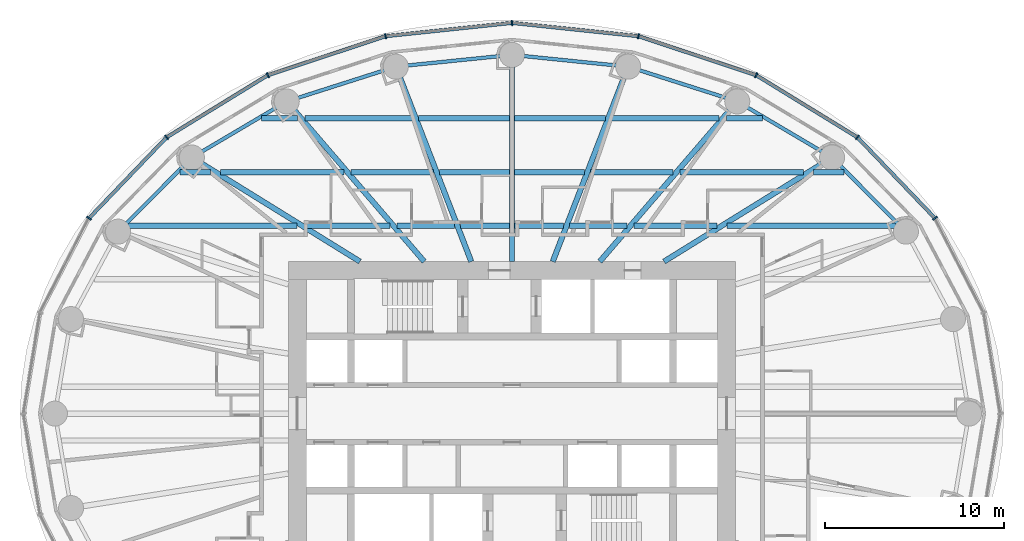
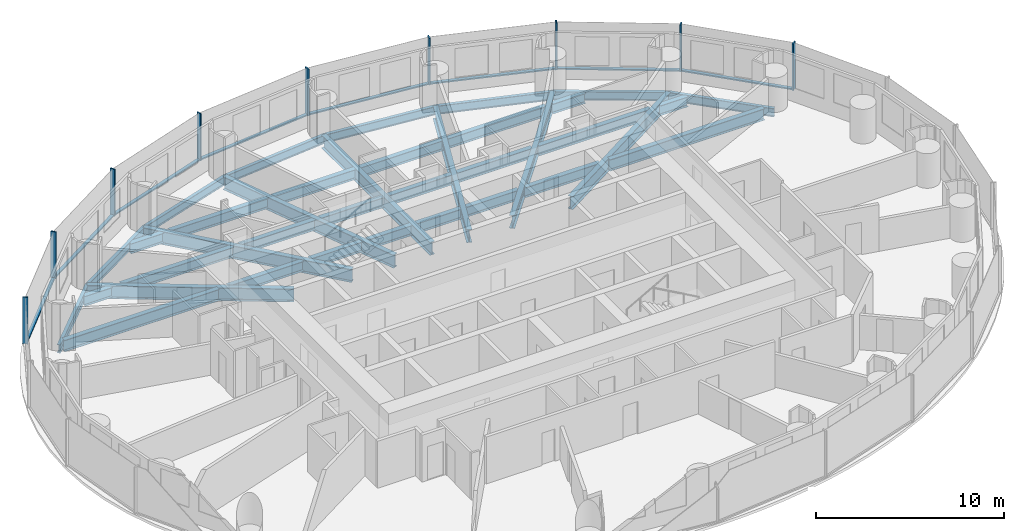
# One storey, part 4 of 14: 37 beams, 17 members, 2 elements without a shape of their own.
"""IFC4 building model written with IfcOpenShell, lengths in metres."""

from ifc_helpers import new_model, si_unit, direction, frame, origin, origin_2d, place, context, subcontext, project, spatial, rectangle, i_section, extrude, material, material_profile, profile_set, type_object, element, aggregate, save


model = new_model("IFC4")

# Units and contexts
model_context = context("Model", 3, precision=1e-05, world=origin(), true_north=direction((0.0, 1.0)))
body_context = subcontext(model_context, "Body", "Model", "MODEL_VIEW")
ifc_project = project(units=[si_unit("LENGTHUNIT", "METRE"), si_unit("AREAUNIT", "SQUARE_METRE"), si_unit("VOLUMEUNIT", "CUBIC_METRE"), si_unit("PLANEANGLEUNIT", "RADIAN"), si_unit("MASSUNIT", "GRAM", prefix="KILO")], contexts=[model_context])

# Site, building, storey
site_placement = place(None, origin())
site = spatial("IfcSite", under=ifc_project, at=site_placement, CompositionType="ELEMENT")
building_placement = place(site_placement, origin())
building = spatial("IfcBuilding", under=site, at=building_placement, Name="Hankou Lantern Tower", CompositionType="ELEMENT")
storey_placement = place(building_placement, frame((0.0, 0.0, 90.300048828125)))
storey = spatial("IfcBuildingStorey", under=building, at=storey_placement, Name="L23", CompositionType="ELEMENT", Elevation=90.300048828125)

# Beams
ifc_material_1 = material(Name="Steel Q355B", Category="steel")
ifc_material_profile_1 = material_profile(ifc_material_1, i_section(OverallWidth=0.199951171875, OverallDepth=0.550048828125, WebThickness=0.010009765625, FlangeThickness=0.01611328125, FilletRadius=0.012939453125, at=origin_2d()), Name="HN550x200x10x16")
ifc_profile_set_1 = profile_set([ifc_material_profile_1], Name="Steel Q355B")
beam_type_1 = type_object("IfcBeamType", Name="EB6 RING BEAM HN550x200x10x16", PredefinedType="SPANDREL", material=ifc_profile_set_1)
beam_1_placement = place(storey_placement, frame((22.01904296875, 10.170166015625, -0.455078125), z_axis=(-0.705727798394, 0.708483079949, 0.0), x_axis=(-0.708483079949, -0.705727798394, 0.0)))
element("IfcBeam", 1, at=beam_1_placement, inside=storey, type_object=beam_type_1, Name="Ring beam R03-R04 L23", PredefinedType="SPANDREL", context=body_context, shape_type="SweptSolid", body=[
    extrude(i_section(OverallWidth=0.199951171875, OverallDepth=0.550048828125, WebThickness=0.010009765625, FlangeThickness=0.01611328125, FilletRadius=0.012939453125, at=origin_2d()), origin(), (0.0, 0.0, 1.0), 5.84814453125),
])
beam_2_placement = place(storey_placement, frame((17.891845703125, 14.3134765625, -0.455078125), z_axis=(-0.860881533543, 0.508805449268, 0.0), x_axis=(-0.508805449268, -0.860881533543, 0.0)))
element("IfcBeam", 2, at=beam_2_placement, inside=storey, type_object=beam_type_1, Name="Ring beam R04-R05 L23", PredefinedType="SPANDREL", context=body_context, shape_type="SweptSolid", body=[
    extrude(i_section(OverallWidth=0.199951171875, OverallDepth=0.550048828125, WebThickness=0.010009765625, FlangeThickness=0.01611328125, FilletRadius=0.012939453125, at=origin_2d()), origin(), (0.0, 0.0, 1.0), 6.15771484375),
])
beam_3_placement = place(storey_placement, frame((12.5908203125, 17.446533203125, -0.455078125), z_axis=(-0.952690479428, 0.303942182671, 0.0), x_axis=(-0.303942182671, -0.952690479428, 0.0)))
element("IfcBeam", 3, at=beam_3_placement, inside=storey, type_object=beam_type_1, Name="Ring beam R05-R06 L23", PredefinedType="SPANDREL", context=body_context, shape_type="SweptSolid", body=[
    extrude(i_section(OverallWidth=0.199951171875, OverallDepth=0.550048828125, WebThickness=0.010009765625, FlangeThickness=0.01611328125, FilletRadius=0.012939453125, at=origin_2d()), origin(), (0.0, 0.0, 1.0), 6.398681640625),
])
for number, where, z_axis, x_axis, name in (
    (4, (6.494873046875, 19.391357421875, -0.455078125), (-0.994896616842, 0.100899562915, 0.0), (-0.100899562915, -0.994896616842, 0.0), "Ring beam R06-R07 L23"),
    (5, (0.0, 20.050048828125, -0.455078125), (-0.994896616842, -0.100899562915, 0.0), (0.100899562915, -0.994896616842, 0.0), "Ring beam R07-R08 L23"),
):
    element("IfcBeam", number, at=place(storey_placement, frame(where, z_axis=z_axis, x_axis=x_axis)), inside=storey, type_object=beam_type_1, Name=name, PredefinedType="SPANDREL", context=body_context, shape_type="SweptSolid", body=[
        extrude(i_section(OverallWidth=0.199951171875, OverallDepth=0.550048828125, WebThickness=0.010009765625, FlangeThickness=0.01611328125, FilletRadius=0.012939453125, at=origin_2d()), origin(), (0.0, 0.0, 1.0), 6.528076171875),
    ])
beam_4_placement = place(storey_placement, frame((-6.494873046875, 19.391357421875, -0.455078125), z_axis=(-0.952690479428, -0.303942182671, 0.0), x_axis=(0.303942182671, -0.952690479428, 0.0)))
element("IfcBeam", 6, at=beam_4_placement, inside=storey, type_object=beam_type_1, Name="Ring beam R08-R09 L23", PredefinedType="SPANDREL", context=body_context, shape_type="SweptSolid", body=[
    extrude(i_section(OverallWidth=0.199951171875, OverallDepth=0.550048828125, WebThickness=0.010009765625, FlangeThickness=0.01611328125, FilletRadius=0.012939453125, at=origin_2d()), origin(), (0.0, 0.0, 1.0), 6.398681640625),
])
beam_5_placement = place(storey_placement, frame((-12.5908203125, 17.446533203125, -0.455078125), z_axis=(-0.860881533543, -0.508805449268, 0.0), x_axis=(0.508805449268, -0.860881533543, 0.0)))
element("IfcBeam", 7, at=beam_5_placement, inside=storey, type_object=beam_type_1, Name="Ring beam R09-R10 L23", PredefinedType="SPANDREL", context=body_context, shape_type="SweptSolid", body=[
    extrude(i_section(OverallWidth=0.199951171875, OverallDepth=0.550048828125, WebThickness=0.010009765625, FlangeThickness=0.01611328125, FilletRadius=0.012939453125, at=origin_2d()), origin(), (0.0, 0.0, 1.0), 6.15771484375),
])
beam_6_placement = place(storey_placement, frame((-17.891845703125, 14.3134765625, -0.455078125), z_axis=(-0.705727798394, -0.708483079949, 0.0), x_axis=(0.708483079949, -0.705727798394, 0.0)))
element("IfcBeam", 8, at=beam_6_placement, inside=storey, type_object=beam_type_1, Name="Ring beam R10-R11 L23", PredefinedType="SPANDREL", context=body_context, shape_type="SweptSolid", body=[
    extrude(i_section(OverallWidth=0.199951171875, OverallDepth=0.550048828125, WebThickness=0.010009765625, FlangeThickness=0.01611328125, FilletRadius=0.012939453125, at=origin_2d()), origin(), (0.0, 0.0, 1.0), 5.84814453125),
])

# Curtain wall, members
ifc_material_2 = material(Name="Glass, dark grey tinted laminated", Category="glass")
curtain_wall_type = type_object("IfcCurtainWallType", Name="CWA OUTER SKIN LOW-RISE", PredefinedType="USERDEFINED", material=ifc_material_2)
curtain_wall_1_placement = place(storey_placement, origin())
curtain_wall_1 = element("IfcCurtainWall", 9, at=curtain_wall_1_placement, inside=storey, type_object=curtain_wall_type, Name="CWA L23 OS1", ObjectType="OUTER SKIN LOW-RISE", PredefinedType="USERDEFINED")
ifc_material_3 = material(Name="Aluminium, black anodised", Category="aluminium")
ifc_material_profile_2 = material_profile(ifc_material_3, rectangle(XDim=0.080078125, YDim=0.300048828125, at=origin_2d()), Name="MU1 80X300")
ifc_profile_set_2 = profile_set([ifc_material_profile_2], Name="Aluminium, black anodised")
member_type_1 = type_object("IfcMemberType", Name="MU1 OUTER SKIN MULLION 80X300", PredefinedType="MULLION", material=ifc_profile_set_2)
member_1_placement = place(storey_placement, frame((23.642578125, 10.919921875, 0.0), z_axis=(0.0, 0.0, 1.0), x_axis=(-0.585205735974, 0.810884854084, 0.0)))
member_1 = element("IfcMember", 10, at=member_1_placement, type_object=member_type_1, Name="CWA mullion 3", PredefinedType="MULLION", context=body_context, shape_type="SweptSolid", body=[
    extrude(rectangle(XDim=0.080078125, YDim=0.300048828125, at=origin_2d()), origin(), (0.0, 0.0, 1.0), 3.050048828125),
])
member_2_placement = place(storey_placement, frame((19.303955078125, 15.443115234375, 0.0), z_axis=(0.0, 0.0, 1.0), x_axis=(-0.780868809444, 0.624695047553, 0.0)))
member_2 = element("IfcMember", 11, at=member_2_placement, type_object=member_type_1, Name="CWA mullion 4", PredefinedType="MULLION", context=body_context, shape_type="SweptSolid", body=[
    extrude(rectangle(XDim=0.080078125, YDim=0.300048828125, at=origin_2d()), origin(), (0.0, 0.0, 1.0), 3.050048828125),
])
member_3_placement = place(storey_placement, frame((13.64990234375, 18.9140625, 0.0), z_axis=(0.0, 0.0, 1.0), x_axis=(-0.907841299004, 0.419313934686, 0.0)))
member_3 = element("IfcMember", 12, at=member_3_placement, type_object=member_type_1, Name="CWA mullion 5", PredefinedType="MULLION", context=body_context, shape_type="SweptSolid", body=[
    extrude(rectangle(XDim=0.080078125, YDim=0.300048828125, at=origin_2d()), origin(), (0.0, 0.0, 1.0), 3.050048828125),
])
member_4_placement = place(storey_placement, frame((7.065673828125, 21.095703125, 0.0), z_axis=(0.0, 0.0, 1.0), x_axis=(-0.977787659625, 0.209597931016, 0.0)))
member_4 = element("IfcMember", 13, at=member_4_placement, type_object=member_type_1, Name="CWA mullion 6", PredefinedType="MULLION", context=body_context, shape_type="SweptSolid", body=[
    extrude(rectangle(XDim=0.080078125, YDim=0.300048828125, at=origin_2d()), origin(), (0.0, 0.0, 1.0), 3.050048828125),
])

curtain_wall_2_placement = place(storey_placement, origin())
curtain_wall_2 = element("IfcCurtainWall", 14, at=curtain_wall_2_placement, inside=storey, type_object=curtain_wall_type, Name="CWA L23 OS2", ObjectType="OUTER SKIN LOW-RISE", PredefinedType="USERDEFINED")
member_5_placement = place(storey_placement, frame((0.0, 21.840087890625, 0.0), z_axis=(0.0, 0.0, 1.0), x_axis=(-0.994499359107, -0.104742659579, 0.0)))
member_5 = element("IfcMember", 15, at=member_5_placement, type_object=member_type_1, Name="CWA mullion 1", PredefinedType="MULLION", context=body_context, shape_type="SweptSolid", body=[
    extrude(rectangle(XDim=0.080078125, YDim=0.300048828125, at=origin_2d()), origin(), (0.0, 0.0, 1.0), 3.050048828125),
])
member_6_placement = place(storey_placement, frame((-7.065673828125, 21.095703125, 0.0), z_axis=(0.0, 0.0, 1.0), x_axis=(-0.977787659625, -0.209597931016, 0.0)))
member_6 = element("IfcMember", 16, at=member_6_placement, type_object=member_type_1, Name="CWA mullion 2", PredefinedType="MULLION", context=body_context, shape_type="SweptSolid", body=[
    extrude(rectangle(XDim=0.080078125, YDim=0.300048828125, at=origin_2d()), origin(), (0.0, 0.0, 1.0), 3.050048828125),
])
member_7_placement = place(storey_placement, frame((-13.64990234375, 18.9140625, 0.0), z_axis=(0.0, 0.0, 1.0), x_axis=(-0.907841299004, -0.419313934686, 0.0)))
member_7 = element("IfcMember", 17, at=member_7_placement, type_object=member_type_1, Name="CWA mullion 3", PredefinedType="MULLION", context=body_context, shape_type="SweptSolid", body=[
    extrude(rectangle(XDim=0.080078125, YDim=0.300048828125, at=origin_2d()), origin(), (0.0, 0.0, 1.0), 3.050048828125),
])
member_8_placement = place(storey_placement, frame((-19.303955078125, 15.443115234375, 0.0), z_axis=(0.0, 0.0, 1.0), x_axis=(-0.780868809444, -0.624695047553, 0.0)))
member_8 = element("IfcMember", 18, at=member_8_placement, type_object=member_type_1, Name="CWA mullion 4", PredefinedType="MULLION", context=body_context, shape_type="SweptSolid", body=[
    extrude(rectangle(XDim=0.080078125, YDim=0.300048828125, at=origin_2d()), origin(), (0.0, 0.0, 1.0), 3.050048828125),
])
member_9_placement = place(storey_placement, frame((-23.642578125, 10.919921875, 0.0), z_axis=(0.0, 0.0, 1.0), x_axis=(-0.585205735974, -0.810884854084, 0.0)))
member_9 = element("IfcMember", 19, at=member_9_placement, type_object=member_type_1, Name="CWA mullion 5", PredefinedType="MULLION", context=body_context, shape_type="SweptSolid", body=[
    extrude(rectangle(XDim=0.080078125, YDim=0.300048828125, at=origin_2d()), origin(), (0.0, 0.0, 1.0), 3.050048828125),
])

# Beams
ifc_material_4 = material(Name="Steel Q355B", Category="steel")
ifc_material_profile_3 = material_profile(ifc_material_4, i_section(OverallWidth=0.300048828125, OverallDepth=0.85009765625, WebThickness=0.01611328125, FlangeThickness=0.027099609375, FilletRadius=0.01806640625, at=origin_2d()), Name="HN850x300x16x27")
ifc_profile_set_3 = profile_set([ifc_material_profile_3], Name="Steel Q355B")
beam_type_2 = type_object("IfcBeamType", Name="RB12 RADIAL BEAM HN850x300x16x27", PredefinedType="BEAM", material=ifc_profile_set_3)
beam_7_placement = place(storey_placement, frame((8.5, 8.5, -0.60498046875), z_axis=(0.850286343288, 0.526320372414, 0.0), x_axis=(-0.526320372414, 0.850286343288, 0.0)))
element("IfcBeam", 20, at=beam_7_placement, inside=storey, type_object=beam_type_2, Name="Radial beam R04 L23", PredefinedType="BEAM", context=body_context, shape_type="SweptSolid", body=[
    extrude(i_section(OverallWidth=0.300048828125, OverallDepth=0.85009765625, WebThickness=0.01611328125, FlangeThickness=0.027099609375, FilletRadius=0.01806640625, at=origin_2d()), origin(), (0.0, 0.0, 1.0), 11.04541015625),
])
beam_8_placement = place(storey_placement, frame((4.907470703125, 8.5, -0.60498046875), z_axis=(0.651519061225, 0.758632264579, 0.0), x_axis=(-0.758632264579, 0.651519061225, 0.0)))
element("IfcBeam", 21, at=beam_8_placement, inside=storey, type_object=beam_type_2, Name="Radial beam R05 L23", PredefinedType="BEAM", context=body_context, shape_type="SweptSolid", body=[
    extrude(i_section(OverallWidth=0.300048828125, OverallDepth=0.85009765625, WebThickness=0.01611328125, FlangeThickness=0.027099609375, FilletRadius=0.01806640625, at=origin_2d()), origin(), (0.0, 0.0, 1.0), 11.79296875),
])
beam_9_placement = place(storey_placement, frame((2.277587890625, 8.5, -0.60498046875), z_axis=(0.361089103374, 0.932531318201, 0.0), x_axis=(-0.932531318201, 0.361089103374, 0.0)))
element("IfcBeam", 22, at=beam_9_placement, inside=storey, type_object=beam_type_2, Name="Radial beam R06 L23", PredefinedType="BEAM", context=body_context, shape_type="SweptSolid", body=[
    extrude(i_section(OverallWidth=0.300048828125, OverallDepth=0.85009765625, WebThickness=0.01611328125, FlangeThickness=0.027099609375, FilletRadius=0.01806640625, at=origin_2d()), origin(), (0.0, 0.0, 1.0), 11.679443359375),
])
beam_10_placement = place(storey_placement, frame((0.0, 8.5, -0.60498046875), z_axis=(0.0, 1.0, 0.0), x_axis=(-1.0, 0.0, 0.0)))
element("IfcBeam", 23, at=beam_10_placement, inside=storey, type_object=beam_type_2, Name="Radial beam R07 L23", PredefinedType="BEAM", context=body_context, shape_type="SweptSolid", body=[
    extrude(i_section(OverallWidth=0.300048828125, OverallDepth=0.85009765625, WebThickness=0.01611328125, FlangeThickness=0.027099609375, FilletRadius=0.01806640625, at=origin_2d()), origin(), (0.0, 0.0, 1.0), 11.550048828125),
])
beam_11_placement = place(storey_placement, frame((-2.277587890625, 8.5, -0.60498046875), z_axis=(-0.361089103374, 0.932531318201, 0.0), x_axis=(-0.932531318201, -0.361089103374, 0.0)))
element("IfcBeam", 24, at=beam_11_placement, inside=storey, type_object=beam_type_2, Name="Radial beam R08 L23", PredefinedType="BEAM", context=body_context, shape_type="SweptSolid", body=[
    extrude(i_section(OverallWidth=0.300048828125, OverallDepth=0.85009765625, WebThickness=0.01611328125, FlangeThickness=0.027099609375, FilletRadius=0.01806640625, at=origin_2d()), origin(), (0.0, 0.0, 1.0), 11.679443359375),
])
beam_12_placement = place(storey_placement, frame((-4.907470703125, 8.5, -0.60498046875), z_axis=(-0.651519061225, 0.758632264579, 0.0), x_axis=(-0.758632264579, -0.651519061225, 0.0)))
element("IfcBeam", 25, at=beam_12_placement, inside=storey, type_object=beam_type_2, Name="Radial beam R09 L23", PredefinedType="BEAM", context=body_context, shape_type="SweptSolid", body=[
    extrude(i_section(OverallWidth=0.300048828125, OverallDepth=0.85009765625, WebThickness=0.01611328125, FlangeThickness=0.027099609375, FilletRadius=0.01806640625, at=origin_2d()), origin(), (0.0, 0.0, 1.0), 11.79296875),
])
beam_13_placement = place(storey_placement, frame((-8.5, 8.5, -0.60498046875), z_axis=(-0.850286343288, 0.526320372414, 0.0), x_axis=(-0.526320372414, -0.850286343288, 0.0)))
element("IfcBeam", 26, at=beam_13_placement, inside=storey, type_object=beam_type_2, Name="Radial beam R10 L23", PredefinedType="BEAM", context=body_context, shape_type="SweptSolid", body=[
    extrude(i_section(OverallWidth=0.300048828125, OverallDepth=0.85009765625, WebThickness=0.01611328125, FlangeThickness=0.027099609375, FilletRadius=0.01806640625, at=origin_2d()), origin(), (0.0, 0.0, 1.0), 11.04541015625),
])
ifc_material_5 = material(Name="Steel Q355B", Category="steel")
ifc_material_profile_4 = material_profile(ifc_material_5, i_section(OverallWidth=0.300048828125, OverallDepth=0.75, WebThickness=0.012939453125, FlangeThickness=0.02392578125, FilletRadius=0.01806640625, at=origin_2d()), Name="HN750x300x13x24")
ifc_profile_set_4 = profile_set([ifc_material_profile_4], Name="Steel Q355B")
beam_type_3 = type_object("IfcBeamType", Name="SB10 SECONDARY BEAM HN750x300x13x24", PredefinedType="JOIST", material=ifc_profile_set_4)
for number, where, z_axis, x_axis, name in (
    (27, (-21.54931640625, 10.5, -0.554931640625), (1.0, 0.0, 0.0), (0.0, 1.0, 0.0), "Floor joist J039 L23"),
    (28, (12.01611328125, 10.5, -0.554931640625), (1.0, 0.0, 0.0), (0.0, 1.0, 0.0), "Floor joist J046 L23"),
):
    element("IfcBeam", number, at=place(storey_placement, frame(where, z_axis=z_axis, x_axis=x_axis)), inside=storey, type_object=beam_type_3, Name=name, PredefinedType="JOIST", context=body_context, shape_type="SweptSolid", body=[
        extrude(i_section(OverallWidth=0.300048828125, OverallDepth=0.75, WebThickness=0.012939453125, FlangeThickness=0.02392578125, FilletRadius=0.01806640625, at=origin_2d()), origin(), (0.0, 0.0, 1.0), 9.533203125),
    ])
ifc_material_6 = material(Name="Steel Q355B", Category="steel")
ifc_material_profile_5 = material_profile(ifc_material_6, i_section(OverallWidth=0.300048828125, OverallDepth=0.64990234375, WebThickness=0.010986328125, FlangeThickness=0.01708984375, FilletRadius=0.01806640625, at=origin_2d()), Name="HN650x300x11x17")
ifc_profile_set_5 = profile_set([ifc_material_profile_5], Name="Steel Q355B")
beam_type_4 = type_object("IfcBeamType", Name="SB8 SECONDARY BEAM HN650x300x11x17", PredefinedType="JOIST", material=ifc_profile_set_5)
beam_14_placement = place(storey_placement, frame((-11.446044921875, 10.5, -0.505126953125), z_axis=(1.0, 0.0, 0.0), x_axis=(0.0, 1.0, 0.0)))
element("IfcBeam", 29, at=beam_14_placement, inside=storey, type_object=beam_type_4, Name="Floor joist J040 L23", PredefinedType="JOIST", context=body_context, shape_type="SweptSolid", body=[
    extrude(i_section(OverallWidth=0.300048828125, OverallDepth=0.64990234375, WebThickness=0.010986328125, FlangeThickness=0.01708984375, FilletRadius=0.01806640625, at=origin_2d()), origin(), (0.0, 0.0, 1.0), 4.623291015625),
])
beam_15_placement = place(storey_placement, frame((-6.427490234375, 10.5, -0.505126953125), z_axis=(1.0, 0.0, 0.0), x_axis=(0.0, 1.0, 0.0)))
element("IfcBeam", 30, at=beam_15_placement, inside=storey, type_object=beam_type_4, Name="Floor joist J041 L23", PredefinedType="JOIST", context=body_context, shape_type="SweptSolid", body=[
    extrude(i_section(OverallWidth=0.300048828125, OverallDepth=0.64990234375, WebThickness=0.010986328125, FlangeThickness=0.01708984375, FilletRadius=0.01806640625, at=origin_2d()), origin(), (0.0, 0.0, 1.0), 3.214599609375),
])
for number, where, z_axis, x_axis, name in (
    (31, (-2.89111328125, 10.5, -0.505126953125), (1.0, 0.0, 0.0), (0.0, 1.0, 0.0), "Floor joist J042 L23"),
    (32, (0.14990234375, 10.5, -0.505126953125), (1.0, 0.0, 0.0), (0.0, 1.0, 0.0), "Floor joist J043 L23"),
):
    element("IfcBeam", number, at=place(storey_placement, frame(where, z_axis=z_axis, x_axis=x_axis)), inside=storey, type_object=beam_type_4, Name=name, PredefinedType="JOIST", context=body_context, shape_type="SweptSolid", body=[
        extrude(i_section(OverallWidth=0.300048828125, OverallDepth=0.64990234375, WebThickness=0.010986328125, FlangeThickness=0.01708984375, FilletRadius=0.01806640625, at=origin_2d()), origin(), (0.0, 0.0, 1.0), 2.7412109375),
    ])
beam_16_placement = place(storey_placement, frame((3.212890625, 10.5, -0.505126953125), z_axis=(1.0, 0.0, 0.0), x_axis=(0.0, 1.0, 0.0)))
element("IfcBeam", 33, at=beam_16_placement, inside=storey, type_object=beam_type_4, Name="Floor joist J044 L23", PredefinedType="JOIST", context=body_context, shape_type="SweptSolid", body=[
    extrude(i_section(OverallWidth=0.300048828125, OverallDepth=0.64990234375, WebThickness=0.010986328125, FlangeThickness=0.01708984375, FilletRadius=0.01806640625, at=origin_2d()), origin(), (0.0, 0.0, 1.0), 3.214599609375),
])
beam_17_placement = place(storey_placement, frame((6.82275390625, 10.5, -0.505126953125), z_axis=(1.0, 0.0, 0.0), x_axis=(0.0, 1.0, 0.0)))
element("IfcBeam", 34, at=beam_17_placement, inside=storey, type_object=beam_type_4, Name="Floor joist J045 L23", PredefinedType="JOIST", context=body_context, shape_type="SweptSolid", body=[
    extrude(i_section(OverallWidth=0.300048828125, OverallDepth=0.64990234375, WebThickness=0.010986328125, FlangeThickness=0.01708984375, FilletRadius=0.01806640625, at=origin_2d()), origin(), (0.0, 0.0, 1.0), 4.623291015625),
])
beam_18_placement = place(storey_placement, frame((-18.560791015625, 13.5, -0.505126953125), z_axis=(1.0, 0.0, 0.0), x_axis=(0.0, 1.0, 0.0)))
element("IfcBeam", 35, at=beam_18_placement, inside=storey, type_object=beam_type_4, Name="Floor joist J047 L23", PredefinedType="JOIST", context=body_context, shape_type="SweptSolid", body=[
    extrude(i_section(OverallWidth=0.300048828125, OverallDepth=0.64990234375, WebThickness=0.010986328125, FlangeThickness=0.01708984375, FilletRadius=0.01806640625, at=origin_2d()), origin(), (0.0, 0.0, 1.0), 1.697998046875),
])
beam_19_placement = place(storey_placement, frame((-16.292724609375, 13.5, -0.505126953125), z_axis=(1.0, 0.0, 0.0), x_axis=(0.0, 1.0, 0.0)))
element("IfcBeam", 36, at=beam_19_placement, inside=storey, type_object=beam_type_4, Name="Floor joist J048 L23", PredefinedType="JOIST", context=body_context, shape_type="SweptSolid", body=[
    extrude(i_section(OverallWidth=0.300048828125, OverallDepth=0.64990234375, WebThickness=0.010986328125, FlangeThickness=0.01708984375, FilletRadius=0.01806640625, at=origin_2d()), origin(), (0.0, 0.0, 1.0), 6.893310546875),
])
beam_20_placement = place(storey_placement, frame((-9.00390625, 13.5, -0.505126953125), z_axis=(1.0, 0.0, 0.0), x_axis=(0.0, 1.0, 0.0)))
element("IfcBeam", 37, at=beam_20_placement, inside=storey, type_object=beam_type_4, Name="Floor joist J049 L23", PredefinedType="JOIST", context=body_context, shape_type="SweptSolid", body=[
    extrude(i_section(OverallWidth=0.300048828125, OverallDepth=0.64990234375, WebThickness=0.010986328125, FlangeThickness=0.01708984375, FilletRadius=0.01806640625, at=origin_2d()), origin(), (0.0, 0.0, 1.0), 4.62939453125),
])
for number, where, z_axis, x_axis, name in (
    (38, (-4.052734375, 13.5, -0.505126953125), (1.0, 0.0, 0.0), (0.0, 1.0, 0.0), "Floor joist J050 L23"),
    (39, (0.14990234375, 13.5, -0.505126953125), (1.0, 0.0, 0.0), (0.0, 1.0, 0.0), "Floor joist J051 L23"),
):
    element("IfcBeam", number, at=place(storey_placement, frame(where, z_axis=z_axis, x_axis=x_axis)), inside=storey, type_object=beam_type_4, Name=name, PredefinedType="JOIST", context=body_context, shape_type="SweptSolid", body=[
        extrude(i_section(OverallWidth=0.300048828125, OverallDepth=0.64990234375, WebThickness=0.010986328125, FlangeThickness=0.01708984375, FilletRadius=0.01806640625, at=origin_2d()), origin(), (0.0, 0.0, 1.0), 3.90283203125),
    ])
beam_21_placement = place(storey_placement, frame((4.37451171875, 13.5, -0.505126953125), z_axis=(1.0, 0.0, 0.0), x_axis=(0.0, 1.0, 0.0)))
element("IfcBeam", 40, at=beam_21_placement, inside=storey, type_object=beam_type_4, Name="Floor joist J052 L23", PredefinedType="JOIST", context=body_context, shape_type="SweptSolid", body=[
    extrude(i_section(OverallWidth=0.300048828125, OverallDepth=0.64990234375, WebThickness=0.010986328125, FlangeThickness=0.01708984375, FilletRadius=0.01806640625, at=origin_2d()), origin(), (0.0, 0.0, 1.0), 4.62939453125),
])
beam_22_placement = place(storey_placement, frame((9.3994140625, 13.5, -0.505126953125), z_axis=(1.0, 0.0, 0.0), x_axis=(0.0, 1.0, 0.0)))
element("IfcBeam", 41, at=beam_22_placement, inside=storey, type_object=beam_type_4, Name="Floor joist J053 L23", PredefinedType="JOIST", context=body_context, shape_type="SweptSolid", body=[
    extrude(i_section(OverallWidth=0.300048828125, OverallDepth=0.64990234375, WebThickness=0.010986328125, FlangeThickness=0.01708984375, FilletRadius=0.01806640625, at=origin_2d()), origin(), (0.0, 0.0, 1.0), 6.893310546875),
])
beam_23_placement = place(storey_placement, frame((16.86279296875, 13.5, -0.505126953125), z_axis=(1.0, 0.0, 0.0), x_axis=(0.0, 1.0, 0.0)))
element("IfcBeam", 42, at=beam_23_placement, inside=storey, type_object=beam_type_4, Name="Floor joist J054 L23", PredefinedType="JOIST", context=body_context, shape_type="SweptSolid", body=[
    extrude(i_section(OverallWidth=0.300048828125, OverallDepth=0.64990234375, WebThickness=0.010986328125, FlangeThickness=0.01708984375, FilletRadius=0.01806640625, at=origin_2d()), origin(), (0.0, 0.0, 1.0), 1.697998046875),
])
beam_24_placement = place(storey_placement, frame((-13.99560546875, 16.5, -0.505126953125), z_axis=(1.0, 0.0, 0.0), x_axis=(0.0, 1.0, 0.0)))
element("IfcBeam", 43, at=beam_24_placement, inside=storey, type_object=beam_type_4, Name="Floor joist J055 L23", PredefinedType="JOIST", context=body_context, shape_type="SweptSolid", body=[
    extrude(i_section(OverallWidth=0.300048828125, OverallDepth=0.64990234375, WebThickness=0.010986328125, FlangeThickness=0.01708984375, FilletRadius=0.01806640625, at=origin_2d()), origin(), (0.0, 0.0, 1.0), 2.019775390625),
])
beam_25_placement = place(storey_placement, frame((-11.580322265625, 16.5, -0.505126953125), z_axis=(1.0, 0.0, 0.0), x_axis=(0.0, 1.0, 0.0)))
element("IfcBeam", 44, at=beam_25_placement, inside=storey, type_object=beam_type_4, Name="Floor joist J056 L23", PredefinedType="JOIST", context=body_context, shape_type="SweptSolid", body=[
    extrude(i_section(OverallWidth=0.300048828125, OverallDepth=0.64990234375, WebThickness=0.010986328125, FlangeThickness=0.01708984375, FilletRadius=0.01806640625, at=origin_2d()), origin(), (0.0, 0.0, 1.0), 6.044189453125),
])
for number, where, z_axis, x_axis, name in (
    (45, (-5.21435546875, 16.5, -0.505126953125), (1.0, 0.0, 0.0), (0.0, 1.0, 0.0), "Floor joist J057 L23"),
    (46, (0.14990234375, 16.5, -0.505126953125), (1.0, 0.0, 0.0), (0.0, 1.0, 0.0), "Floor joist J058 L23"),
):
    element("IfcBeam", number, at=place(storey_placement, frame(where, z_axis=z_axis, x_axis=x_axis)), inside=storey, type_object=beam_type_4, Name=name, PredefinedType="JOIST", context=body_context, shape_type="SweptSolid", body=[
        extrude(i_section(OverallWidth=0.300048828125, OverallDepth=0.64990234375, WebThickness=0.010986328125, FlangeThickness=0.01708984375, FilletRadius=0.01806640625, at=origin_2d()), origin(), (0.0, 0.0, 1.0), 5.064453125),
    ])
beam_26_placement = place(storey_placement, frame((5.5361328125, 16.5, -0.505126953125), z_axis=(1.0, 0.0, 0.0), x_axis=(0.0, 1.0, 0.0)))
element("IfcBeam", 47, at=beam_26_placement, inside=storey, type_object=beam_type_4, Name="Floor joist J059 L23", PredefinedType="JOIST", context=body_context, shape_type="SweptSolid", body=[
    extrude(i_section(OverallWidth=0.300048828125, OverallDepth=0.64990234375, WebThickness=0.010986328125, FlangeThickness=0.01708984375, FilletRadius=0.01806640625, at=origin_2d()), origin(), (0.0, 0.0, 1.0), 6.044189453125),
])
beam_27_placement = place(storey_placement, frame((11.975830078125, 16.5, -0.505126953125), z_axis=(1.0, 0.0, 0.0), x_axis=(0.0, 1.0, 0.0)))
element("IfcBeam", 48, at=beam_27_placement, inside=storey, type_object=beam_type_4, Name="Floor joist J060 L23", PredefinedType="JOIST", context=body_context, shape_type="SweptSolid", body=[
    extrude(i_section(OverallWidth=0.300048828125, OverallDepth=0.64990234375, WebThickness=0.010986328125, FlangeThickness=0.01708984375, FilletRadius=0.01806640625, at=origin_2d()), origin(), (0.0, 0.0, 1.0), 2.019775390625),
])

# Member
ifc_material_7 = material(Name="Aluminium, black anodised", Category="aluminium")
ifc_material_profile_6 = material_profile(ifc_material_7, rectangle(XDim=0.199951171875, YDim=0.080078125, at=origin_2d()), Name="TR1 200X80")
ifc_profile_set_6 = profile_set([ifc_material_profile_6], Name="Aluminium, black anodised")
member_type_2 = type_object("IfcMemberType", Name="TR1 OUTER SKIN TRANSOM 200X80", PredefinedType="USERDEFINED", material=ifc_profile_set_6)
member_10_placement = place(storey_placement, frame((23.61474609375, 10.948974609375, 0.0400390625), z_axis=(-0.692215537374, 0.721690827029, 0.0), x_axis=(-0.721690827029, -0.692215537374, 0.0)))
member_10 = element("IfcMember", 49, at=member_10_placement, type_object=member_type_2, Name="CWA transom 3", ObjectType="TRANSOM", PredefinedType="USERDEFINED", context=body_context, shape_type="SweptSolid", body=[
    extrude(rectangle(XDim=0.199951171875, YDim=0.080078125, at=origin_2d()), origin(), (0.0, 0.0, 1.0), 6.187255859375),
])

member_11_placement = place(storey_placement, frame((19.27001953125, 15.464111328125, 0.0400390625), z_axis=(-0.85223969557, 0.523151508929, 0.0), x_axis=(-0.523151508929, -0.85223969557, 0.0)))
member_11 = element("IfcMember", 50, at=member_11_placement, type_object=member_type_2, Name="CWA transom 4", ObjectType="TRANSOM", PredefinedType="USERDEFINED", context=body_context, shape_type="SweptSolid", body=[
    extrude(rectangle(XDim=0.199951171875, YDim=0.080078125, at=origin_2d()), origin(), (0.0, 0.0, 1.0), 6.554443359375),
])

member_12_placement = place(storey_placement, frame((13.612060546875, 18.926513671875, 0.0400390625), z_axis=(-0.949237318771, 0.314560825044, 0.0), x_axis=(-0.314560825044, -0.949237318771, 0.0)))
member_12 = element("IfcMember", 51, at=member_12_placement, type_object=member_type_2, Name="CWA transom 5", ObjectType="TRANSOM", PredefinedType="USERDEFINED", context=body_context, shape_type="SweptSolid", body=[
    extrude(rectangle(XDim=0.199951171875, YDim=0.080078125, at=origin_2d()), origin(), (0.0, 0.0, 1.0), 6.8564453125),
])

member_13_placement = place(storey_placement, frame((7.02587890625, 21.10009765625, 0.0400390625), z_axis=(-0.994502215033, 0.104715539888, 0.0), x_axis=(-0.104715539888, -0.994502215033, 0.0)))
member_13 = element("IfcMember", 52, at=member_13_placement, type_object=member_type_2, Name="CWA transom 6", ObjectType="TRANSOM", PredefinedType="USERDEFINED", context=body_context, shape_type="SweptSolid", body=[
    extrude(rectangle(XDim=0.199951171875, YDim=0.080078125, at=origin_2d()), origin(), (0.0, 0.0, 1.0), 7.024658203125),
])

aggregate(curtain_wall_1, [member_1, member_2, member_3, member_4, member_10, member_11, member_12, member_13])

member_14_placement = place(storey_placement, frame((-0.039794921875, 21.835693359375, 0.0400390625), z_axis=(-0.994502215033, -0.104715539888, 0.0), x_axis=(0.104715539888, -0.994502215033, 0.0)))
member_14 = element("IfcMember", 53, at=member_14_placement, type_object=member_type_2, Name="CWA transom 1", ObjectType="TRANSOM", PredefinedType="USERDEFINED", context=body_context, shape_type="SweptSolid", body=[
    extrude(rectangle(XDim=0.199951171875, YDim=0.080078125, at=origin_2d()), origin(), (0.0, 0.0, 1.0), 7.024658203125),
])

member_15_placement = place(storey_placement, frame((-7.103759765625, 21.083251953125, 0.0400390625), z_axis=(-0.949237318771, -0.314560825044, 0.0), x_axis=(0.314560825044, -0.949237318771, 0.0)))
member_15 = element("IfcMember", 54, at=member_15_placement, type_object=member_type_2, Name="CWA transom 2", ObjectType="TRANSOM", PredefinedType="USERDEFINED", context=body_context, shape_type="SweptSolid", body=[
    extrude(rectangle(XDim=0.199951171875, YDim=0.080078125, at=origin_2d()), origin(), (0.0, 0.0, 1.0), 6.8564453125),
])

member_16_placement = place(storey_placement, frame((-13.68408203125, 18.89306640625, 0.0400390625), z_axis=(-0.85223969557, -0.523151508929, 0.0), x_axis=(0.523151508929, -0.85223969557, 0.0)))
member_16 = element("IfcMember", 55, at=member_16_placement, type_object=member_type_2, Name="CWA transom 3", ObjectType="TRANSOM", PredefinedType="USERDEFINED", context=body_context, shape_type="SweptSolid", body=[
    extrude(rectangle(XDim=0.199951171875, YDim=0.080078125, at=origin_2d()), origin(), (0.0, 0.0, 1.0), 6.554443359375),
])

member_17_placement = place(storey_placement, frame((-19.331787109375, 15.414306640625, 0.0400390625), z_axis=(-0.692215537374, -0.721690827029, 0.0), x_axis=(0.721690827029, -0.692215537374, 0.0)))
member_17 = element("IfcMember", 56, at=member_17_placement, type_object=member_type_2, Name="CWA transom 4", ObjectType="TRANSOM", PredefinedType="USERDEFINED", context=body_context, shape_type="SweptSolid", body=[
    extrude(rectangle(XDim=0.199951171875, YDim=0.080078125, at=origin_2d()), origin(), (0.0, 0.0, 1.0), 6.187255859375),
])

aggregate(curtain_wall_2, [member_5, member_6, member_7, member_8, member_9, member_14, member_15, member_16, member_17])

save(model, "model.ifc")
